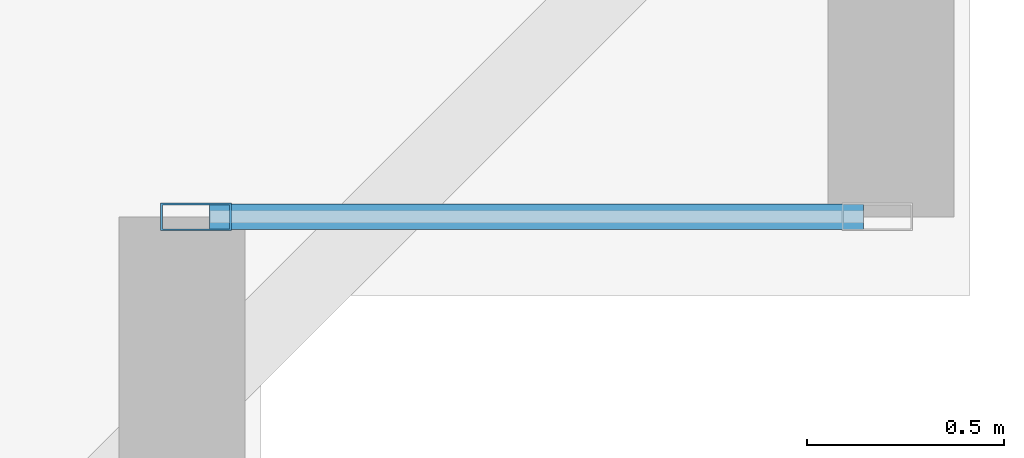
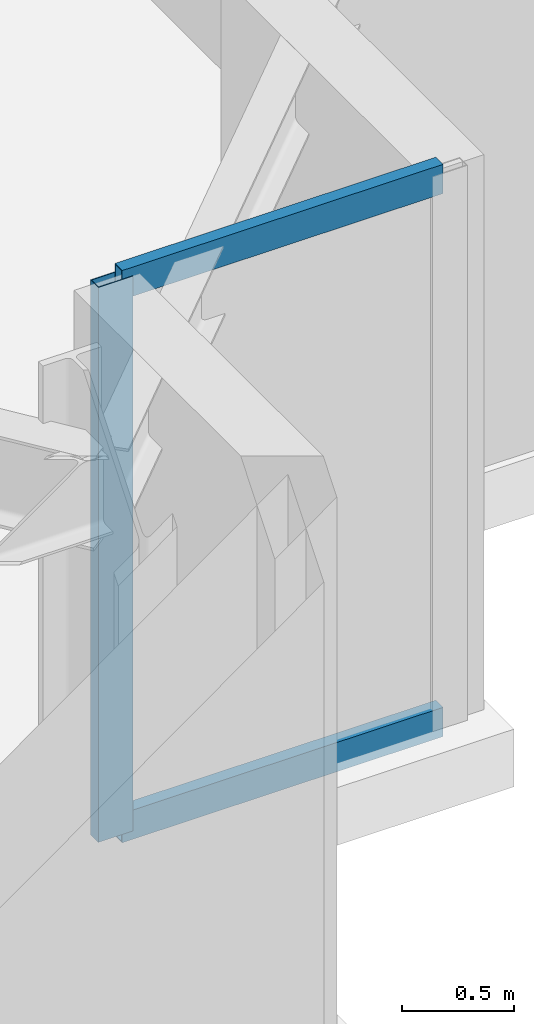
# One storey, part 10 of 24: 3 members, 1 element without a shape of its own.
"""IFC4 building model written with IfcOpenShell, lengths in metres."""

from ifc_helpers import new_model, si_unit, direction, frame, origin, origin_2d, place, context, subcontext, project, spatial, hollow_rectangle, extrude, material, layer, layer_set, material_profile, profile_set, type_object, element, aggregate, save


model = new_model("IFC4")

# Units and contexts
model_context = context("Model", 3, precision=1e-05, world=origin(), true_north=direction((0.0, 1.0)))
body_context = subcontext(model_context, "Body", "Model", "MODEL_VIEW")
ifc_project = project(units=[si_unit("LENGTHUNIT", "METRE"), si_unit("AREAUNIT", "SQUARE_METRE"), si_unit("VOLUMEUNIT", "CUBIC_METRE"), si_unit("PLANEANGLEUNIT", "RADIAN"), si_unit("MASSUNIT", "GRAM", prefix="KILO")], contexts=[model_context])

# Site, building, storey
site_placement = place(None, origin())
site = spatial("IfcSite", under=ifc_project, at=site_placement, CompositionType="ELEMENT")
building_placement = place(site_placement, origin())
building = spatial("IfcBuilding", under=site, at=building_placement, Name="Qobustan Lattice House", CompositionType="ELEMENT")
storey_placement = place(building_placement, frame((0.0, 0.0, 50.449951171875)))
storey = spatial("IfcBuildingStorey", under=building, at=storey_placement, Name="L13", CompositionType="ELEMENT", Elevation=50.449951171875)

# Curtain wall, members
ifc_material_1 = material(Name="Anodised aluminium and low-E glazing", Category="aluminium")
ifc_layer = layer(ifc_material_1, 0.219970703125)
ifc_layer_set = layer_set([ifc_layer], Name="Anodised aluminium and low-E glazing")
curtain_wall_type = type_object("IfcCurtainWallType", Name="CW-FAC-01", PredefinedType="USERDEFINED", material=ifc_layer_set)
curtain_wall_placement = place(storey_placement, origin())
curtain_wall = element("IfcCurtainWall", 1, at=curtain_wall_placement, inside=storey, type_object=curtain_wall_type, Name="L13 serrated corner faceted glazing 18", ObjectType="CURTAIN WALL", PredefinedType="USERDEFINED")
ifc_material_2 = material(Name="Anodised aluminium EN AW-6063 T6", Category="aluminium")
ifc_material_profile_1 = material_profile(ifc_material_2, hollow_rectangle(XDim=0.070068359375, YDim=0.179931640625, WallThickness=0.00439453125, at=origin_2d()), Name="CWM-180x70")
ifc_profile_set_1 = profile_set([ifc_material_profile_1], Name="Anodised aluminium EN AW-6063 T6")
member_type_1 = type_object("IfcMemberType", Name="CWM-STD-180", PredefinedType="MULLION", material=ifc_profile_set_1)
member_1_placement = place(storey_placement, frame((29.235107421875, -17.60009765625, 0.0), z_axis=(0.0, 0.0, 1.0), x_axis=(0.0, -1.0, 0.0)))
member_1 = element("IfcMember", 2, at=member_1_placement, type_object=member_type_1, Name="CW-F1 mullion 2", PredefinedType="MULLION", context=body_context, shape_type="SweptSolid", body=[
    extrude(hollow_rectangle(XDim=0.070068359375, YDim=0.179931640625, WallThickness=0.00439453125, at=origin_2d()), origin(), (0.0, 0.0, 1.0), 3.03515625),
])
ifc_material_3 = material(Name="Anodised aluminium EN AW-6063 T6", Category="aluminium")
ifc_material_profile_2 = material_profile(ifc_material_3, hollow_rectangle(XDim=0.06494140625, YDim=0.159912109375, WallThickness=0.00390625, at=origin_2d()), Name="CWT-160x65")
ifc_profile_set_2 = profile_set([ifc_material_profile_2], Name="Anodised aluminium EN AW-6063 T6")
member_type_2 = type_object("IfcMemberType", Name="CWT-HOR-160", PredefinedType="USERDEFINED", material=ifc_profile_set_2)
member_2_placement = place(storey_placement, frame((30.929931640625, -17.60009765625, 0.032470703125), z_axis=(-1.0, 0.0, 0.0), x_axis=(0.0, -1.0, 0.0)))
member_2 = element("IfcMember", 3, at=member_2_placement, type_object=member_type_2, Name="CW-F1 transom 1.1", ObjectType="TRANSOM", PredefinedType="USERDEFINED", context=body_context, shape_type="SweptSolid", body=[
    extrude(hollow_rectangle(XDim=0.06494140625, YDim=0.159912109375, WallThickness=0.00390625, at=origin_2d()), origin(), (0.0, 0.0, 1.0), 1.659912109375),
])
member_3_placement = place(storey_placement, frame((30.929931640625, -17.60009765625, 3.00244140625), z_axis=(-1.0, 0.0, 0.0), x_axis=(0.0, -1.0, 0.0)))
member_3 = element("IfcMember", 4, at=member_3_placement, type_object=member_type_2, Name="CW-F1 transom 1.2", ObjectType="TRANSOM", PredefinedType="USERDEFINED", context=body_context, shape_type="SweptSolid", body=[
    extrude(hollow_rectangle(XDim=0.06494140625, YDim=0.159912109375, WallThickness=0.00390625, at=origin_2d()), origin(), (0.0, 0.0, 1.0), 1.659912109375),
])
aggregate(curtain_wall, [member_1, member_2, member_3])

save(model, "model.ifc")
